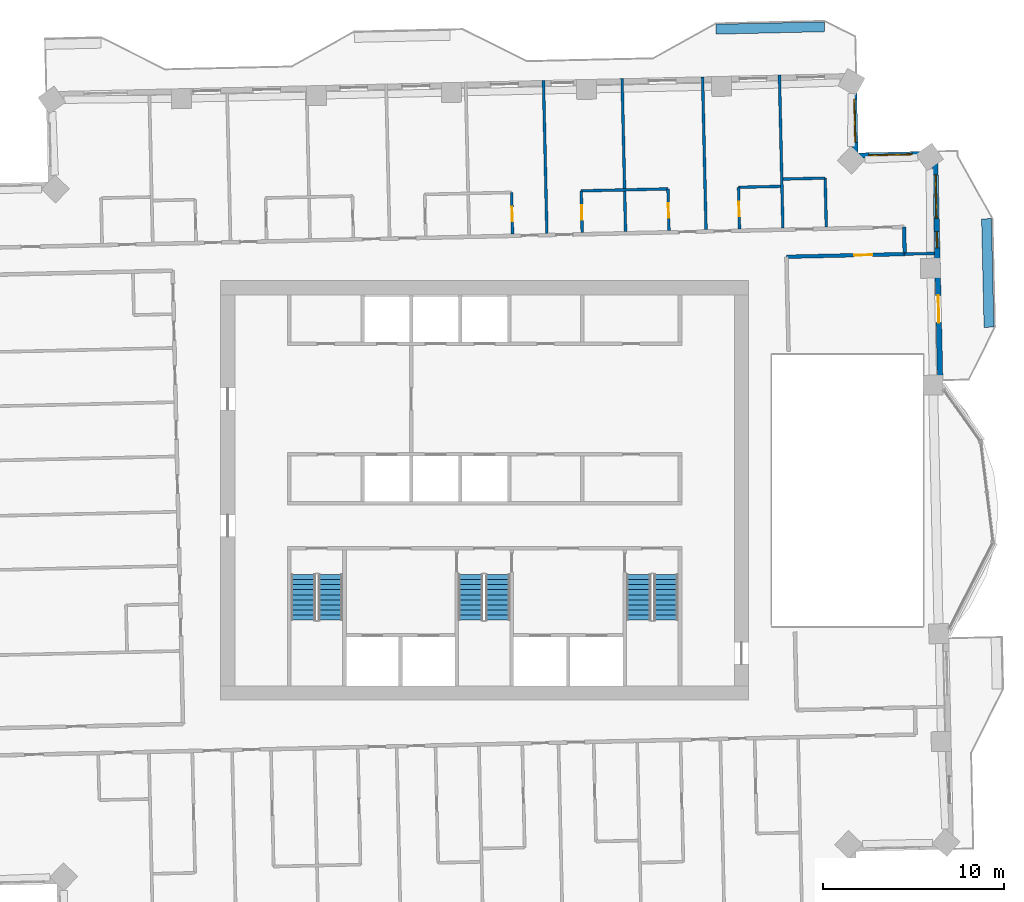
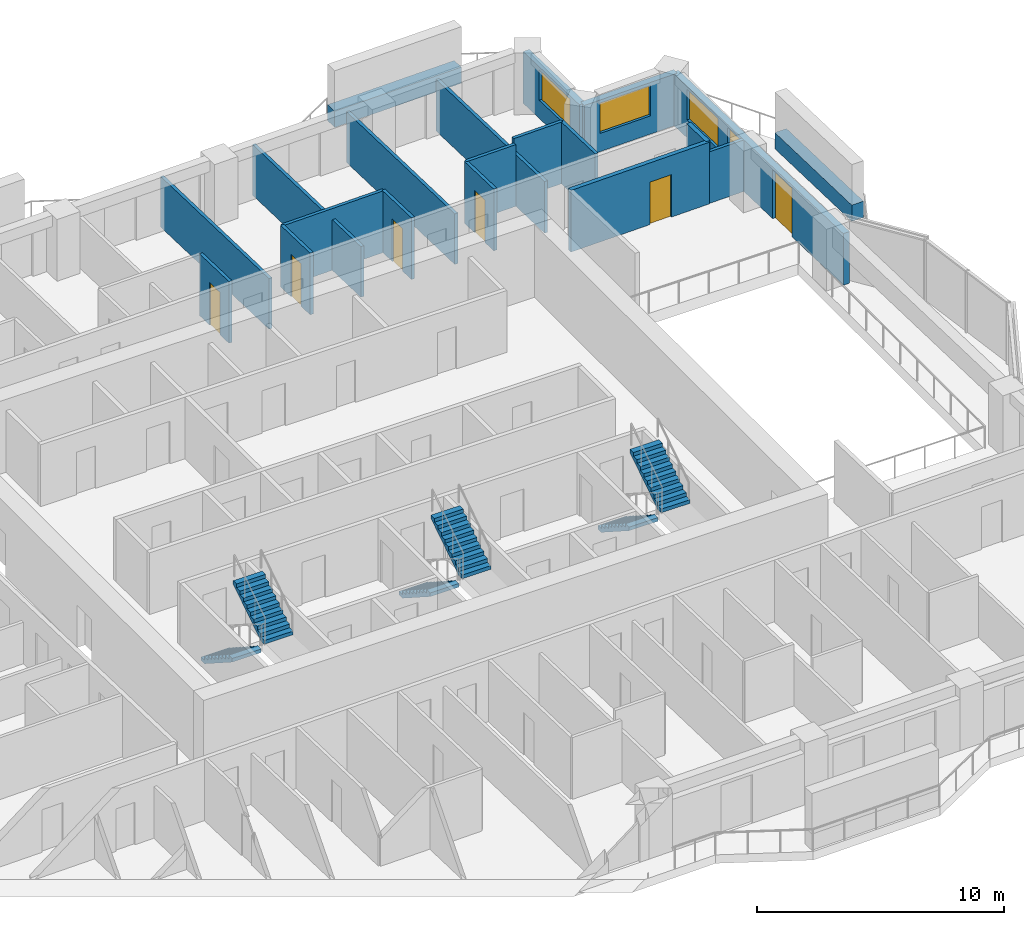
# One storey, part 12 of 16: 20 walls, 6 doors, 6 stair flights, 4 windows, 10 openings, 3 elements without a shape of their own.
"""IFC4 building model written with IfcOpenShell, lengths in metres."""

from ifc_helpers import new_model, si_unit, direction, frame, frame_2d, origin, place, context, subcontext, project, spatial, polyline, rectangle, outline, extrude, material, layer, layer_set, type_object, element, fill, aggregate, save


model = new_model("IFC4")

# Units and contexts
model_context = context("Model", 3, precision=1e-05, world=origin(), true_north=direction((0.0, 1.0)))
body_context = subcontext(model_context, "Body", "Model", "MODEL_VIEW")
ifc_project = project(units=[si_unit("LENGTHUNIT", "METRE"), si_unit("AREAUNIT", "SQUARE_METRE"), si_unit("VOLUMEUNIT", "CUBIC_METRE"), si_unit("PLANEANGLEUNIT", "RADIAN"), si_unit("MASSUNIT", "GRAM", prefix="KILO")], contexts=[model_context])

# Site, building, storey
site_placement = place(None, origin())
site = spatial("IfcSite", under=ifc_project, at=site_placement, CompositionType="ELEMENT")
building_placement = place(site_placement, origin())
building = spatial("IfcBuilding", under=site, at=building_placement, Name="Mangrove Gate Tower", CompositionType="ELEMENT")
storey_placement = place(building_placement, frame((0.0, 0.0, 231.10009765625)))
storey = spatial("IfcBuildingStorey", under=building, at=storey_placement, Name="L58", CompositionType="ELEMENT", Elevation=231.10009765625)

# Wall, opening, door
ifc_material_1 = material(Name="Gypsum board on steel stud, EI 60", Category="steel")
ifc_layer_1 = layer(ifc_material_1, 0.199951171875)
ifc_layer_set_1 = layer_set([ifc_layer_1], Name="Corridor wall EI 60")
wall_type_1 = type_object("IfcWallType", Name="Corridor wall EI 60", PredefinedType="PARTITIONING", material=ifc_layer_set_1)
wall_1_placement = place(storey_placement, frame((16.678955078125, 12.91796875, 0.0), z_axis=(0.0, 0.0, 1.0), x_axis=(0.99974139269, 0.022740882632, 0.0)))
wall_1 = element("IfcWall", 1, at=wall_1_placement, inside=storey, type_object=wall_type_1, Name="WALL-L58-050", PredefinedType="PARTITIONING", context=body_context, shape_type="SweptSolid", body=[
    extrude(rectangle(XDim=6.548828125, YDim=0.199951171875, at=frame_2d((3.2744140625, 0.0))), origin(), (0.0, 0.0, 1.0), 3.0498046875),
])
opening_1_placement = place(wall_1_placement, frame((3.75, 0.0, 0.0)))
opening_1 = element("IfcOpeningElement", 2, at=opening_1_placement, cuts=wall_1, Name="Opening AD", PredefinedType="OPENING", context=body_context, shape_type="SweptSolid", body=[
    extrude(rectangle(XDim=1.0, YDim=2.10009765625, at=frame_2d((0.5, 1.050048828125))), frame((0.0, 0.10986328125, 0.0), z_axis=(0.0, -1.0, 0.0), x_axis=(1.0, 0.0, 0.0)), (0.0, 0.0, 1.0), 0.219970703125),
])
ifc_material_2 = material(Name="Timber door leaf", Category="wood")
door_type_1 = type_object("IfcDoorType", Name="Amenity door 1000", OperationType="SINGLE_SWING_LEFT", PredefinedType="DOOR", material=ifc_material_2)
door_1_placement = place(opening_1_placement, origin())
door_1 = element("IfcDoor", 3, at=door_1_placement, inside=storey, type_object=door_type_1, Name="DOOR-L58-LNG-c3a", OperationType="SINGLE_SWING_RIGHT", OverallHeight=2.10009765625, OverallWidth=1.0, PredefinedType="DOOR", context=body_context, shape_type="SweptSolid", body=[
    extrude(rectangle(XDim=1.0, YDim=2.10009765625, at=frame_2d((0.5, 1.050048828125))), frame((0.0, 0.02490234375, 0.0), z_axis=(0.0, -1.0, 0.0), x_axis=(1.0, 0.0, 0.0)), (0.0, 0.0, 1.0), 0.050048828125),
])
fill(opening_1, door_1)

# Wall
wall_2_placement = place(storey_placement, frame((23.222900390625, 13.06689453125, 0.0), z_axis=(0.0, 0.0, 1.0), x_axis=(-0.023268438023, 0.999729253244, 0.0)))
element("IfcWall", 4, at=wall_2_placement, inside=storey, type_object=wall_type_1, Name="WALL-L58-051", PredefinedType="PARTITIONING", context=body_context, shape_type="SweptSolid", body=[
    extrude(rectangle(XDim=1.50048828125, YDim=0.199951171875, at=frame_2d((0.750244140625, 0.0))), origin(), (0.0, 0.0, 1.0), 3.0498046875),
])

# Wall, openings, door, windows
ifc_material_3 = material(Name="Limestone", Category="masonry")
ifc_layer_2 = layer(ifc_material_3, 0.0400390625, Name="Limestone cladding")
ifc_material_4 = material(Name="Ventilated air gap")
ifc_layer_3 = layer(ifc_material_4, 0.0400390625, Name="Ventilated cavity")
ifc_material_5 = material(Name="Mineral wool insulation")
ifc_layer_4 = layer(ifc_material_5, 0.06005859375, Name="Insulation")
ifc_material_6 = material(Name="Breather membrane")
ifc_layer_5 = layer(ifc_material_6, 0.001953125, Name="Breather membrane")
ifc_material_7 = material(Name="Concrete C20/25 blockwork", Category="masonry")
ifc_layer_6 = layer(ifc_material_7, 0.14990234375, Name="Blockwork backing wall")
ifc_material_8 = material(Name="Gypsum plaster")
ifc_layer_7 = layer(ifc_material_8, 0.008056640625, Name="Internal plaster")
ifc_layer_set_2 = layer_set([ifc_layer_2, ifc_layer_3, ifc_layer_4, ifc_layer_5, ifc_layer_6, ifc_layer_7], Name="External wall 300 limestone cladding")
wall_type_2 = type_object("IfcWallType", Name="External wall 300 limestone cladding", PredefinedType="SOLIDWALL", material=ifc_layer_set_2)
wall_3_placement = place(storey_placement, frame((25.2041015625, 5.284912109375, 0.0), z_axis=(0.0, 0.0, 1.0), x_axis=(-0.022756783174, 0.999741030877, 0.0)))
wall_3 = element("IfcWall", 5, at=wall_3_placement, inside=storey, type_object=wall_type_2, Name="WALL-L58-E2s1", PredefinedType="SOLIDWALL", context=body_context, shape_type="SweptSolid", body=[
    extrude(rectangle(XDim=13.324462890625, YDim=0.300048828125, at=frame_2d((6.662109375, 0.0))), origin(), (0.0, 0.0, 1.0), 2.5498046875),
])
opening_2_placement = place(wall_3_placement, frame((3.9990234375, 0.0, 0.0)))
opening_2 = element("IfcOpeningElement", 6, at=opening_2_placement, cuts=wall_3, Name="Opening BD1", PredefinedType="OPENING", context=body_context, shape_type="SweptSolid", body=[
    extrude(rectangle(XDim=1.5, YDim=2.39990234375, at=frame_2d((0.75, 1.199951171875))), frame((0.0, 0.159912109375, 0.0), z_axis=(0.0, -1.0, 0.0), x_axis=(1.0, 0.0, 0.0)), (0.0, 0.0, 1.0), 0.320068359375),
])
opening_3_placement = place(wall_3_placement, frame((8.125, 0.0, 0.89990234375)))
opening_3 = element("IfcOpeningElement", 7, at=opening_3_placement, cuts=wall_3, Name="Opening W5", PredefinedType="OPENING", context=body_context, shape_type="SweptSolid", body=[
    extrude(rectangle(XDim=0.89990234375, YDim=1.5, at=frame_2d((0.449951171875, 0.75))), frame((0.0, 0.159912109375, 0.0), z_axis=(0.0, -1.0, 0.0), x_axis=(1.0, 0.0, 0.0)), (0.0, 0.0, 1.0), 0.320068359375),
])
opening_4_placement = place(wall_3_placement, frame((9.762939453125, 0.0, 0.89990234375)))
opening_4 = element("IfcOpeningElement", 8, at=opening_4_placement, cuts=wall_3, Name="Opening W2", PredefinedType="OPENING", context=body_context, shape_type="SweptSolid", body=[
    extrude(rectangle(XDim=2.39990234375, YDim=1.5, at=frame_2d((1.199951171875, 0.75))), frame((0.0, 0.159912109375, 0.0), z_axis=(0.0, -1.0, 0.0), x_axis=(1.0, 0.0, 0.0)), (0.0, 0.0, 1.0), 0.320068359375),
])
ifc_material_9 = material(Name="Aluminium frame with laminated clear glass", Category="aluminium")
door_type_2 = type_object("IfcDoorType", Name="Balcony sliding door 1500x2400", OperationType="SLIDING_TO_LEFT", PredefinedType="DOOR", material=ifc_material_9)
door_2_placement = place(opening_2_placement, origin())
door_2 = element("IfcDoor", 9, at=door_2_placement, inside=storey, type_object=door_type_2, Name="DOOR-L58-E2-1", OperationType="SLIDING_TO_LEFT", OverallHeight=2.39990234375, OverallWidth=1.5, PredefinedType="DOOR", context=body_context, shape_type="SweptSolid", body=[
    extrude(rectangle(XDim=1.5, YDim=2.39990234375, at=frame_2d((0.75, 1.199951171875))), frame((0.0, 0.02490234375, 0.0), z_axis=(0.0, -1.0, 0.0), x_axis=(1.0, 0.0, 0.0)), (0.0, 0.0, 1.0), 0.050048828125),
])
fill(opening_2, door_2)
ifc_material_10 = material(Name="Aluminium frame with double-glazed low-e glass", Category="aluminium")
window_type_1 = type_object("IfcWindowType", Name="Corner room window 2400x1500", PartitioningType="DOUBLE_PANEL_VERTICAL", PredefinedType="WINDOW", material=ifc_material_10)
window_1_placement = place(opening_4_placement, origin())
window_1 = element("IfcWindow", 10, at=window_1_placement, inside=storey, type_object=window_type_1, Name="WIN-L58-E2-3", OverallHeight=1.5, OverallWidth=2.39990234375, PartitioningType="DOUBLE_PANEL_VERTICAL", PredefinedType="WINDOW", context=body_context, shape_type="SweptSolid", body=[
    extrude(rectangle(XDim=2.39990234375, YDim=1.5, at=frame_2d((1.199951171875, 0.75))), frame((0.0, 0.030029296875, 0.0), z_axis=(0.0, -1.0, 0.0), x_axis=(1.0, 0.0, 0.0)), (0.0, 0.0, 1.0), 0.06005859375),
])
fill(opening_4, window_1)
ifc_material_11 = material(Name="Aluminium frame with double-glazed low-e glass", Category="aluminium")
window_type_2 = type_object("IfcWindowType", Name="Narrow window 900x1500", PartitioningType="SINGLE_PANEL", PredefinedType="WINDOW", material=ifc_material_11)
window_2_placement = place(opening_3_placement, origin())
window_2 = element("IfcWindow", 11, at=window_2_placement, inside=storey, type_object=window_type_2, Name="WIN-L58-E2-2", OverallHeight=1.5, OverallWidth=0.89990234375, PartitioningType="SINGLE_PANEL", PredefinedType="WINDOW", context=body_context, shape_type="SweptSolid", body=[
    extrude(rectangle(XDim=0.89990234375, YDim=1.5, at=frame_2d((0.449951171875, 0.75))), frame((0.0, 0.030029296875, 0.0), z_axis=(0.0, -1.0, 0.0), x_axis=(1.0, 0.0, 0.0)), (0.0, 0.0, 1.0), 0.06005859375),
])
fill(opening_3, window_2)

# Wall, opening, window
wall_4_placement = place(storey_placement, frame((24.90087890625, 18.60595703125, 0.0), z_axis=(0.0, 0.0, 1.0), x_axis=(-0.999747476176, -0.022471846368, 0.0)))
wall_4 = element("IfcWall", 12, at=wall_4_placement, inside=storey, type_object=wall_type_2, Name="WALL-L58-N3", PredefinedType="SOLIDWALL", context=body_context, shape_type="SweptSolid", body=[
    extrude(rectangle(XDim=4.400146484375, YDim=0.300048828125, at=frame_2d((2.2001953125, 0.0))), origin(), (0.0, 0.0, 1.0), 2.5498046875),
])
opening_5_placement = place(wall_4_placement, frame((1.264892578125, 0.0, 0.89990234375)))
opening_5 = element("IfcOpeningElement", 13, at=opening_5_placement, cuts=wall_4, Name="Opening W2", PredefinedType="OPENING", context=body_context, shape_type="SweptSolid", body=[
    extrude(rectangle(XDim=2.39990234375, YDim=1.5, at=frame_2d((1.199951171875, 0.75))), frame((0.0, 0.159912109375, 0.0), z_axis=(0.0, -1.0, 0.0), x_axis=(1.0, 0.0, 0.0)), (0.0, 0.0, 1.0), 0.320068359375),
])
window_3_placement = place(opening_5_placement, origin())
window_3 = element("IfcWindow", 14, at=window_3_placement, inside=storey, type_object=window_type_1, Name="WIN-L58-N3-1", OverallHeight=1.5, OverallWidth=2.39990234375, PartitioningType="DOUBLE_PANEL_VERTICAL", PredefinedType="WINDOW", context=body_context, shape_type="SweptSolid", body=[
    extrude(rectangle(XDim=2.39990234375, YDim=1.5, at=frame_2d((1.199951171875, 0.75))), frame((0.0, 0.030029296875, 0.0), z_axis=(0.0, -1.0, 0.0), x_axis=(1.0, 0.0, 0.0)), (0.0, 0.0, 1.0), 0.06005859375),
])
fill(opening_5, window_3)

wall_5_placement = place(storey_placement, frame((20.501953125, 18.507080078125, 0.0), z_axis=(0.0, 0.0, 1.0), x_axis=(-0.02247683371, 0.999747364061, 0.0)))
wall_5 = element("IfcWall", 15, at=wall_5_placement, inside=storey, type_object=wall_type_2, Name="WALL-L58-E4", PredefinedType="SOLIDWALL", context=body_context, shape_type="SweptSolid", body=[
    extrude(rectangle(XDim=4.399169921875, YDim=0.300048828125, at=frame_2d((2.19970703125, 0.0))), origin(), (0.0, 0.0, 1.0), 2.5498046875),
])
opening_6_placement = place(wall_5_placement, frame((0.73095703125, 0.0, 0.89990234375)))
opening_6 = element("IfcOpeningElement", 16, at=opening_6_placement, cuts=wall_5, Name="Opening W2", PredefinedType="OPENING", context=body_context, shape_type="SweptSolid", body=[
    extrude(rectangle(XDim=2.39990234375, YDim=1.5, at=frame_2d((1.199951171875, 0.75))), frame((0.0, 0.159912109375, 0.0), z_axis=(0.0, -1.0, 0.0), x_axis=(1.0, 0.0, 0.0)), (0.0, 0.0, 1.0), 0.320068359375),
])
window_4_placement = place(opening_6_placement, origin())
window_4 = element("IfcWindow", 17, at=window_4_placement, inside=storey, type_object=window_type_1, Name="WIN-L58-E4-1", OverallHeight=1.5, OverallWidth=2.39990234375, PartitioningType="DOUBLE_PANEL_VERTICAL", PredefinedType="WINDOW", context=body_context, shape_type="SweptSolid", body=[
    extrude(rectangle(XDim=2.39990234375, YDim=1.5, at=frame_2d((1.199951171875, 0.75))), frame((0.0, 0.030029296875, 0.0), z_axis=(0.0, -1.0, 0.0), x_axis=(1.0, 0.0, 0.0)), (0.0, 0.0, 1.0), 0.06005859375),
])
fill(opening_6, window_4)

# Wall
ifc_material_12 = material(Name="Gypsum board on steel stud, EI 60", Category="steel")
ifc_layer_8 = layer(ifc_material_12, 0.14990234375)
ifc_layer_set_3 = layer_set([ifc_layer_8], Name="Party wall 150 EI 60")
wall_type_3 = type_object("IfcWallType", Name="Party wall 150 EI 60", PredefinedType="PARTITIONING", material=ifc_layer_set_3)
wall_6_placement = place(storey_placement, frame((23.22607421875, 13.06689453125, 0.0), z_axis=(0.0, 0.0, 1.0), x_axis=(0.999747154012, 0.022486174521, 0.0)))
element("IfcWall", 18, at=wall_6_placement, inside=storey, type_object=wall_type_3, Name="WALL-L58-052", PredefinedType="PARTITIONING", context=body_context, shape_type="SweptSolid", body=[
    extrude(rectangle(XDim=1.650390625, YDim=0.14990234375, at=frame_2d((0.8251953125, 0.0))), origin(), (0.0, 0.0, 1.0), 2.5498046875),
])

# Wall, opening, door
wall_7_placement = place(storey_placement, frame((1.5419921875, 14.175048828125, 0.0), z_axis=(0.0, 0.0, 1.0), x_axis=(-0.022603288534, 0.999744513037, 0.0)))
wall_7 = element("IfcWall", 19, at=wall_7_placement, inside=storey, type_object=wall_type_3, Name="WALL-L58-064", PredefinedType="PARTITIONING", context=body_context, shape_type="SweptSolid", body=[
    extrude(rectangle(XDim=2.300537109375, YDim=0.14990234375, at=frame_2d((1.150390625, 0.0))), origin(), (0.0, 0.0, 1.0), 3.0498046875),
])
opening_7_placement = place(wall_7_placement, frame((0.699951171875, 0.0, 0.0)))
opening_7 = element("IfcOpeningElement", 20, at=opening_7_placement, cuts=wall_7, Name="Opening ED", PredefinedType="OPENING", context=body_context, shape_type="SweptSolid", body=[
    extrude(rectangle(XDim=0.800048828125, YDim=2.10009765625, at=frame_2d((0.39990234375, 1.050048828125))), frame((0.0, 0.0849609375, 0.0), z_axis=(0.0, -1.0, 0.0), x_axis=(1.0, 0.0, 0.0)), (0.0, 0.0, 1.0), 0.169921875),
])
ifc_material_13 = material(Name="Timber door leaf", Category="wood")
door_type_3 = type_object("IfcDoorType", Name="En-suite door 800", OperationType="SINGLE_SWING_LEFT", PredefinedType="DOOR", material=ifc_material_13)
door_3_placement = place(opening_7_placement, origin())
door_3 = element("IfcDoor", 21, at=door_3_placement, inside=storey, type_object=door_type_3, Name="DOOR-L58-ENS-c412", OperationType="SINGLE_SWING_RIGHT", OverallHeight=2.10009765625, OverallWidth=0.800048828125, PredefinedType="DOOR", context=body_context, shape_type="SweptSolid", body=[
    extrude(rectangle(XDim=0.800048828125, YDim=2.10009765625, at=frame_2d((0.39990234375, 1.050048828125))), frame((0.0, 0.02490234375, 0.0), z_axis=(0.0, -1.0, 0.0), x_axis=(1.0, 0.0, 0.0)), (0.0, 0.0, 1.0), 0.050048828125),
])
fill(opening_7, door_3)

# Wall
wall_8_placement = place(storey_placement, frame((3.44091796875, 14.218017578125, 0.0), z_axis=(0.0, 0.0, 1.0), x_axis=(-0.022593427839, 0.999744735929, 0.0)))
element("IfcWall", 22, at=wall_8_placement, inside=storey, type_object=wall_type_3, Name="WALL-L58-065", PredefinedType="PARTITIONING", context=body_context, shape_type="SweptSolid", body=[
    extrude(rectangle(XDim=8.4501953125, YDim=0.14990234375, at=frame_2d((4.22509765625, 0.0))), origin(), (0.0, 0.0, 1.0), 2.5),
])

# Wall, opening, door
wall_9_placement = place(storey_placement, frame((5.39111328125, 14.262939453125, 0.0), z_axis=(0.0, 0.0, 1.0), x_axis=(-0.022612884682, 0.999744296031, 0.0)))
wall_9 = element("IfcWall", 23, at=wall_9_placement, inside=storey, type_object=wall_type_3, Name="WALL-L58-066", PredefinedType="PARTITIONING", context=body_context, shape_type="SweptSolid", body=[
    extrude(rectangle(XDim=2.299560546875, YDim=0.14990234375, at=frame_2d((1.14990234375, 0.0))), origin(), (0.0, 0.0, 1.0), 3.0498046875),
])
opening_8_placement = place(wall_9_placement, frame((0.699951171875, 0.0, 0.0)))
opening_8 = element("IfcOpeningElement", 24, at=opening_8_placement, cuts=wall_9, Name="Opening ED", PredefinedType="OPENING", context=body_context, shape_type="SweptSolid", body=[
    extrude(rectangle(XDim=0.800048828125, YDim=2.10009765625, at=frame_2d((0.39990234375, 1.050048828125))), frame((0.0, 0.0849609375, 0.0), z_axis=(0.0, -1.0, 0.0), x_axis=(1.0, 0.0, 0.0)), (0.0, 0.0, 1.0), 0.169921875),
])
door_4_placement = place(opening_8_placement, origin())
door_4 = element("IfcDoor", 25, at=door_4_placement, inside=storey, type_object=door_type_3, Name="DOOR-L58-ENS-c411", OperationType="SINGLE_SWING_LEFT", OverallHeight=2.10009765625, OverallWidth=0.800048828125, PredefinedType="DOOR", context=body_context, shape_type="SweptSolid", body=[
    extrude(rectangle(XDim=0.800048828125, YDim=2.10009765625, at=frame_2d((0.39990234375, 1.050048828125))), frame((0.0, 0.02490234375, 0.0), z_axis=(0.0, -1.0, 0.0), x_axis=(1.0, 0.0, 0.0)), (0.0, 0.0, 1.0), 0.050048828125),
])
fill(opening_8, door_4)

# Wall
wall_10_placement = place(storey_placement, frame((7.7900390625, 14.31689453125, 0.0), z_axis=(0.0, 0.0, 1.0), x_axis=(-0.022737812646, 0.999741462517, 0.0)))
element("IfcWall", 26, at=wall_10_placement, inside=storey, type_object=wall_type_3, Name="WALL-L58-067", PredefinedType="PARTITIONING", context=body_context, shape_type="SweptSolid", body=[
    extrude(rectangle(XDim=8.4501953125, YDim=0.14990234375, at=frame_2d((4.22509765625, 0.0))), origin(), (0.0, 0.0, 1.0), 2.5),
])

# Wall, opening, door
wall_11_placement = place(storey_placement, frame((10.18994140625, 14.3720703125, 0.0), z_axis=(0.0, 0.0, 1.0), x_axis=(-0.023039761813, 0.999734549456, 0.0)))
wall_11 = element("IfcWall", 27, at=wall_11_placement, inside=storey, type_object=wall_type_3, Name="WALL-L58-068", PredefinedType="PARTITIONING", context=body_context, shape_type="SweptSolid", body=[
    extrude(rectangle(XDim=2.299560546875, YDim=0.14990234375, at=frame_2d((1.14990234375, 0.0))), origin(), (0.0, 0.0, 1.0), 3.0498046875),
])
opening_9_placement = place(wall_11_placement, frame((0.699951171875, 0.0, 0.0)))
opening_9 = element("IfcOpeningElement", 28, at=opening_9_placement, cuts=wall_11, Name="Opening ED", PredefinedType="OPENING", context=body_context, shape_type="SweptSolid", body=[
    extrude(rectangle(XDim=0.800048828125, YDim=2.10009765625, at=frame_2d((0.39990234375, 1.050048828125))), frame((0.0, 0.0849609375, 0.0), z_axis=(0.0, -1.0, 0.0), x_axis=(1.0, 0.0, 0.0)), (0.0, 0.0, 1.0), 0.169921875),
])
door_5_placement = place(opening_9_placement, origin())
door_5 = element("IfcDoor", 29, at=door_5_placement, inside=storey, type_object=door_type_3, Name="DOOR-L58-ENS-c310", OperationType="SINGLE_SWING_RIGHT", OverallHeight=2.10009765625, OverallWidth=0.800048828125, PredefinedType="DOOR", context=body_context, shape_type="SweptSolid", body=[
    extrude(rectangle(XDim=0.800048828125, YDim=2.10009765625, at=frame_2d((0.39990234375, 1.050048828125))), frame((0.0, 0.02490234375, 0.0), z_axis=(0.0, -1.0, 0.0), x_axis=(1.0, 0.0, 0.0)), (0.0, 0.0, 1.0), 0.050048828125),
])
fill(opening_9, door_5)

# Wall
wall_12_placement = place(storey_placement, frame((12.239013671875, 14.41796875, 0.0), z_axis=(0.0, 0.0, 1.0), x_axis=(-0.022708935798, 0.999742118866, 0.0)))
element("IfcWall", 30, at=wall_12_placement, inside=storey, type_object=wall_type_3, Name="WALL-L58-069", PredefinedType="PARTITIONING", context=body_context, shape_type="SweptSolid", body=[
    extrude(rectangle(XDim=8.4501953125, YDim=0.14990234375, at=frame_2d((4.22509765625, 0.0))), origin(), (0.0, 0.0, 1.0), 2.5),
])

# Wall, opening, door
wall_13_placement = place(storey_placement, frame((14.089111328125, 14.4599609375, 0.0), z_axis=(0.0, 0.0, 1.0), x_axis=(-0.023143422514, 0.999732155127, 0.0)))
wall_13 = element("IfcWall", 31, at=wall_13_placement, inside=storey, type_object=wall_type_3, Name="WALL-L58-070", PredefinedType="PARTITIONING", context=body_context, shape_type="SweptSolid", body=[
    extrude(rectangle(XDim=2.2998046875, YDim=0.14990234375, at=frame_2d((1.14990234375, 0.0))), origin(), (0.0, 0.0, 1.0), 3.0498046875),
])
opening_10_placement = place(wall_13_placement, frame((0.699951171875, 0.0, 0.0)))
opening_10 = element("IfcOpeningElement", 32, at=opening_10_placement, cuts=wall_13, Name="Opening ED", PredefinedType="OPENING", context=body_context, shape_type="SweptSolid", body=[
    extrude(rectangle(XDim=0.800048828125, YDim=2.10009765625, at=frame_2d((0.39990234375, 1.050048828125))), frame((0.0, 0.0849609375, 0.0), z_axis=(0.0, -1.0, 0.0), x_axis=(1.0, 0.0, 0.0)), (0.0, 0.0, 1.0), 0.169921875),
])
door_6_placement = place(opening_10_placement, origin())
door_6 = element("IfcDoor", 33, at=door_6_placement, inside=storey, type_object=door_type_3, Name="DOOR-L58-ENS-c309", OperationType="SINGLE_SWING_LEFT", OverallHeight=2.10009765625, OverallWidth=0.800048828125, PredefinedType="DOOR", context=body_context, shape_type="SweptSolid", body=[
    extrude(rectangle(XDim=0.800048828125, YDim=2.10009765625, at=frame_2d((0.39990234375, 1.050048828125))), frame((0.0, 0.02490234375, 0.0), z_axis=(0.0, -1.0, 0.0), x_axis=(1.0, 0.0, 0.0)), (0.0, 0.0, 1.0), 0.050048828125),
])
fill(opening_10, door_6)

# Walls
wall_14_placement = place(storey_placement, frame((16.488037109375, 14.514892578125, 0.0), z_axis=(0.0, 0.0, 1.0), x_axis=(-0.022740440012, 0.999741402758, 0.0)))
element("IfcWall", 34, at=wall_14_placement, inside=storey, type_object=wall_type_3, Name="WALL-L58-071", PredefinedType="PARTITIONING", context=body_context, shape_type="SweptSolid", body=[
    extrude(rectangle(XDim=8.44921875, YDim=0.14990234375, at=frame_2d((4.224609375, 0.0))), origin(), (0.0, 0.0, 1.0), 2.5498046875),
])
wall_15_placement = place(storey_placement, frame((18.886962890625, 14.569091796875, 0.0), z_axis=(0.0, 0.0, 1.0), x_axis=(-0.02260842146, 0.999744396973, 0.0)))
element("IfcWall", 35, at=wall_15_placement, inside=storey, type_object=wall_type_3, Name="WALL-L58-072", PredefinedType="PARTITIONING", context=body_context, shape_type="SweptSolid", body=[
    extrude(rectangle(XDim=2.69970703125, YDim=0.14990234375, at=frame_2d((1.349853515625, 0.0))), origin(), (0.0, 0.0, 1.0), 3.0498046875),
])
wall_16_placement = place(storey_placement, frame((5.3349609375, 16.56201171875, 0.0), z_axis=(0.0, 0.0, 1.0), x_axis=(0.999742596585, 0.02268789488, 0.0)))
element("IfcWall", 36, at=wall_16_placement, inside=storey, type_object=wall_type_3, Name="WALL-L58-076", PredefinedType="PARTITIONING", context=body_context, shape_type="SweptSolid", body=[
    extrude(rectangle(XDim=4.79931640625, YDim=0.14990234375, at=frame_2d((2.399658203125, 0.0))), origin(), (0.0, 0.0, 1.0), 3.0498046875),
])
wall_17_placement = place(storey_placement, frame((14.031982421875, 16.759033203125, 0.0), z_axis=(0.0, 0.0, 1.0), x_axis=(0.999740478815, 0.022781023197, 0.0)))
element("IfcWall", 37, at=wall_17_placement, inside=storey, type_object=wall_type_3, Name="WALL-L58-077", PredefinedType="PARTITIONING", context=body_context, shape_type="SweptSolid", body=[
    extrude(rectangle(XDim=2.325439453125, YDim=0.14990234375, at=frame_2d((1.16259765625, 0.0))), origin(), (0.0, 0.0, 1.0), 3.0498046875),
])
wall_18_placement = place(storey_placement, frame((16.498046875, 17.215087890625, 0.0), z_axis=(0.0, 0.0, 1.0), x_axis=(0.999740260747, 0.02279059109, 0.0)))
element("IfcWall", 38, at=wall_18_placement, inside=storey, type_object=wall_type_3, Name="WALL-L58-079", PredefinedType="PARTITIONING", context=body_context, shape_type="SweptSolid", body=[
    extrude(rectangle(XDim=2.324462890625, YDim=0.14990234375, at=frame_2d((1.162109375, 0.0))), origin(), (0.0, 0.0, 1.0), 3.0498046875),
])
ifc_material_14 = material(Name="Concrete C32/40", Category="concrete")
ifc_layer_9 = layer(ifc_material_14, 0.199951171875, Name="Planter trough wall")
ifc_material_15 = material(Name="Bituminous waterproofing membrane")
ifc_layer_10 = layer(ifc_material_15, 0.0048828125, Name="Waterproofing")
ifc_material_16 = material(Name="Drainage board and gravel")
ifc_layer_11 = layer(ifc_material_16, 0.044921875, Name="Drainage layer")
ifc_material_17 = material(Name="Planting soil")
ifc_layer_12 = layer(ifc_material_17, 0.300048828125, Name="Growing medium")
ifc_layer_set_4 = layer_set([ifc_layer_9, ifc_layer_10, ifc_layer_11, ifc_layer_12], Name="Planter wall 550 C32/40")
wall_type_4 = type_object("IfcWallType", Name="Planter wall 550 C32/40", PredefinedType="USERDEFINED", material=ifc_layer_set_4)
wall_19_placement = place(storey_placement, frame((27.884033203125, 9.02197265625, 0.0), z_axis=(0.0, 0.0, 1.0), x_axis=(-0.022665943652, 0.999743094499, 0.0)))
element("IfcWall", 39, at=wall_19_placement, inside=storey, type_object=wall_type_4, Name="PLANTER L58 E1.1", ObjectType="PLANTER", PredefinedType="USERDEFINED", context=body_context, shape_type="SweptSolid", body=[
    extrude(rectangle(XDim=5.99951171875, YDim=0.550048828125, at=frame_2d((2.999755859375, 0.0))), origin(), (0.0, 0.0, 1.0), 0.7998046875),
])
wall_20_placement = place(storey_placement, frame((12.7880859375, 25.498046875, 0.0), z_axis=(0.0, 0.0, 1.0), x_axis=(0.999739371644, 0.02282955947, 0.0)))
element("IfcWall", 40, at=wall_20_placement, inside=storey, type_object=wall_type_4, Name="PLANTER L58 N0.1", ObjectType="PLANTER", PredefinedType="USERDEFINED", context=body_context, shape_type="SweptSolid", body=[
    extrude(rectangle(XDim=5.999267578125, YDim=0.550048828125, at=frame_2d((2.99951171875, 0.0))), origin(), (0.0, 0.0, 1.0), 0.7998046875),
])

# Stair, stair flights
ifc_material_18 = material(Name="Concrete C40/50", Category="concrete")
stair_type = type_object("IfcStairType", Name="Core stair 1350", PredefinedType="HALF_TURN_STAIR", material=ifc_material_18)
stair_1_placement = place(storey_placement, origin())
stair_1 = element("IfcStair", 41, at=stair_1_placement, inside=storey, type_object=stair_type, Name="L58 Stair 1", PredefinedType="HALF_TURN_STAIR")
ifc_material_19 = material(Name="Concrete C40/50", Category="concrete")
stair_flight_type = type_object("IfcStairFlightType", Name="Core stair flight 1350", PredefinedType="STRAIGHT", material=ifc_material_19)
stair_flight_1_placement = place(storey_placement, frame((-10.02490234375, -4.64990234375, 0.0), z_axis=(0.0, 0.0, 1.0), x_axis=(0.0, -1.0, 0.0)))
stair_flight_1 = element("IfcStairFlight", 42, at=stair_flight_1_placement, type_object=stair_flight_type, Name="ST1 flight 1", NumberOfRisers=10, NumberOfTreads=9, PredefinedType="STRAIGHT", RiserHeight=0.18, TreadLength=0.28, context=body_context, shape_type="SweptSolid", body=[
    extrude(outline(polyline([(0.0, 0.0), (0.0, 0.179931640625), (0.280029296875, 0.179931640625), (0.280029296875, 0.360107421875), (0.56005859375, 0.360107421875), (0.56005859375, 0.5400390625), (0.840087890625, 0.5400390625), (0.840087890625, 0.719970703125), (1.1201171875, 0.719970703125), (1.1201171875, 0.89990234375), (1.39990234375, 0.89990234375), (1.39990234375, 1.080078125), (1.679931640625, 1.080078125), (1.679931640625, 1.260009765625), (1.9599609375, 1.260009765625), (1.9599609375, 1.43994140625), (2.239990234375, 1.43994140625), (2.239990234375, 1.6201171875), (2.52001953125, 1.6201171875), (2.52001953125, 1.800048828125), (2.52001953125, 1.44189453125), (0.277099609375, 0.0), (0.0, 0.0)])), frame((0.0, 0.675048828125, 0.0), z_axis=(0.0, -1.0, 0.0), x_axis=(1.0, 0.0, 0.0)), (0.0, 0.0, 1.0), 1.35009765625),
])
stair_flight_2_placement = place(storey_placement, frame((-8.52490234375, -7.169921875, 1.7998046875), z_axis=(0.0, 0.0, 1.0), x_axis=(0.0, 1.0, 0.0)))
stair_flight_2 = element("IfcStairFlight", 43, at=stair_flight_2_placement, type_object=stair_flight_type, Name="ST1 flight 2", NumberOfRisers=10, NumberOfTreads=9, PredefinedType="STRAIGHT", RiserHeight=0.18, TreadLength=0.28, context=body_context, shape_type="SweptSolid", body=[
    extrude(outline(polyline([(0.0, 0.0), (0.0, 0.179931640625), (0.280029296875, 0.179931640625), (0.280029296875, 0.360107421875), (0.56005859375, 0.360107421875), (0.56005859375, 0.5400390625), (0.840087890625, 0.5400390625), (0.840087890625, 0.719970703125), (1.1201171875, 0.719970703125), (1.1201171875, 0.89990234375), (1.39990234375, 0.89990234375), (1.39990234375, 1.080078125), (1.679931640625, 1.080078125), (1.679931640625, 1.260009765625), (1.9599609375, 1.260009765625), (1.9599609375, 1.43994140625), (2.239990234375, 1.43994140625), (2.239990234375, 1.6201171875), (2.52001953125, 1.6201171875), (2.52001953125, 1.800048828125), (2.52001953125, 1.44189453125), (0.277099609375, 0.0), (0.0, 0.0)])), frame((0.0, 0.675048828125, 0.0), z_axis=(0.0, -1.0, 0.0), x_axis=(1.0, 0.0, 0.0)), (0.0, 0.0, 1.0), 1.35009765625),
])
aggregate(stair_1, [stair_flight_1, stair_flight_2])

stair_2_placement = place(storey_placement, origin())
stair_2 = element("IfcStair", 44, at=stair_2_placement, inside=storey, type_object=stair_type, Name="L58 Stair 2", PredefinedType="HALF_TURN_STAIR")
stair_flight_3_placement = place(storey_placement, frame((-0.77490234375, -4.64990234375, 0.0), z_axis=(0.0, 0.0, 1.0), x_axis=(0.0, -1.0, 0.0)))
stair_flight_3 = element("IfcStairFlight", 45, at=stair_flight_3_placement, type_object=stair_flight_type, Name="ST2 flight 1", NumberOfRisers=10, NumberOfTreads=9, PredefinedType="STRAIGHT", RiserHeight=0.18, TreadLength=0.28, context=body_context, shape_type="SweptSolid", body=[
    extrude(outline(polyline([(0.0, 0.0), (0.0, 0.179931640625), (0.280029296875, 0.179931640625), (0.280029296875, 0.360107421875), (0.56005859375, 0.360107421875), (0.56005859375, 0.5400390625), (0.840087890625, 0.5400390625), (0.840087890625, 0.719970703125), (1.1201171875, 0.719970703125), (1.1201171875, 0.89990234375), (1.39990234375, 0.89990234375), (1.39990234375, 1.080078125), (1.679931640625, 1.080078125), (1.679931640625, 1.260009765625), (1.9599609375, 1.260009765625), (1.9599609375, 1.43994140625), (2.239990234375, 1.43994140625), (2.239990234375, 1.6201171875), (2.52001953125, 1.6201171875), (2.52001953125, 1.800048828125), (2.52001953125, 1.44189453125), (0.277099609375, 0.0), (0.0, 0.0)])), frame((0.0, 0.675048828125, 0.0), z_axis=(0.0, -1.0, 0.0), x_axis=(1.0, 0.0, 0.0)), (0.0, 0.0, 1.0), 1.35009765625),
])
stair_flight_4_placement = place(storey_placement, frame((0.72509765625, -7.169921875, 1.7998046875), z_axis=(0.0, 0.0, 1.0), x_axis=(0.0, 1.0, 0.0)))
stair_flight_4 = element("IfcStairFlight", 46, at=stair_flight_4_placement, type_object=stair_flight_type, Name="ST2 flight 2", NumberOfRisers=10, NumberOfTreads=9, PredefinedType="STRAIGHT", RiserHeight=0.18, TreadLength=0.28, context=body_context, shape_type="SweptSolid", body=[
    extrude(outline(polyline([(0.0, 0.0), (0.0, 0.179931640625), (0.280029296875, 0.179931640625), (0.280029296875, 0.360107421875), (0.56005859375, 0.360107421875), (0.56005859375, 0.5400390625), (0.840087890625, 0.5400390625), (0.840087890625, 0.719970703125), (1.1201171875, 0.719970703125), (1.1201171875, 0.89990234375), (1.39990234375, 0.89990234375), (1.39990234375, 1.080078125), (1.679931640625, 1.080078125), (1.679931640625, 1.260009765625), (1.9599609375, 1.260009765625), (1.9599609375, 1.43994140625), (2.239990234375, 1.43994140625), (2.239990234375, 1.6201171875), (2.52001953125, 1.6201171875), (2.52001953125, 1.800048828125), (2.52001953125, 1.44189453125), (0.277099609375, 0.0), (0.0, 0.0)])), frame((0.0, 0.675048828125, 0.0), z_axis=(0.0, -1.0, 0.0), x_axis=(1.0, 0.0, 0.0)), (0.0, 0.0, 1.0), 1.35009765625),
])
aggregate(stair_2, [stair_flight_3, stair_flight_4])

stair_3_placement = place(storey_placement, origin())
stair_3 = element("IfcStair", 47, at=stair_3_placement, inside=storey, type_object=stair_type, Name="L58 Stair 3", PredefinedType="HALF_TURN_STAIR")
stair_flight_5_placement = place(storey_placement, frame((8.52490234375, -4.64990234375, 0.0), z_axis=(0.0, 0.0, 1.0), x_axis=(0.0, -1.0, 0.0)))
stair_flight_5 = element("IfcStairFlight", 48, at=stair_flight_5_placement, type_object=stair_flight_type, Name="ST3 flight 1", NumberOfRisers=10, NumberOfTreads=9, PredefinedType="STRAIGHT", RiserHeight=0.18, TreadLength=0.28, context=body_context, shape_type="SweptSolid", body=[
    extrude(outline(polyline([(0.0, 0.0), (0.0, 0.179931640625), (0.280029296875, 0.179931640625), (0.280029296875, 0.360107421875), (0.56005859375, 0.360107421875), (0.56005859375, 0.5400390625), (0.840087890625, 0.5400390625), (0.840087890625, 0.719970703125), (1.1201171875, 0.719970703125), (1.1201171875, 0.89990234375), (1.39990234375, 0.89990234375), (1.39990234375, 1.080078125), (1.679931640625, 1.080078125), (1.679931640625, 1.260009765625), (1.9599609375, 1.260009765625), (1.9599609375, 1.43994140625), (2.239990234375, 1.43994140625), (2.239990234375, 1.6201171875), (2.52001953125, 1.6201171875), (2.52001953125, 1.800048828125), (2.52001953125, 1.44189453125), (0.277099609375, 0.0), (0.0, 0.0)])), frame((0.0, 0.675048828125, 0.0), z_axis=(0.0, -1.0, 0.0), x_axis=(1.0, 0.0, 0.0)), (0.0, 0.0, 1.0), 1.35009765625),
])
stair_flight_6_placement = place(storey_placement, frame((10.02490234375, -7.169921875, 1.7998046875), z_axis=(0.0, 0.0, 1.0), x_axis=(0.0, 1.0, 0.0)))
stair_flight_6 = element("IfcStairFlight", 49, at=stair_flight_6_placement, type_object=stair_flight_type, Name="ST3 flight 2", NumberOfRisers=10, NumberOfTreads=9, PredefinedType="STRAIGHT", RiserHeight=0.18, TreadLength=0.28, context=body_context, shape_type="SweptSolid", body=[
    extrude(outline(polyline([(0.0, 0.0), (0.0, 0.179931640625), (0.280029296875, 0.179931640625), (0.280029296875, 0.360107421875), (0.56005859375, 0.360107421875), (0.56005859375, 0.5400390625), (0.840087890625, 0.5400390625), (0.840087890625, 0.719970703125), (1.1201171875, 0.719970703125), (1.1201171875, 0.89990234375), (1.39990234375, 0.89990234375), (1.39990234375, 1.080078125), (1.679931640625, 1.080078125), (1.679931640625, 1.260009765625), (1.9599609375, 1.260009765625), (1.9599609375, 1.43994140625), (2.239990234375, 1.43994140625), (2.239990234375, 1.6201171875), (2.52001953125, 1.6201171875), (2.52001953125, 1.800048828125), (2.52001953125, 1.44189453125), (0.277099609375, 0.0), (0.0, 0.0)])), frame((0.0, 0.675048828125, 0.0), z_axis=(0.0, -1.0, 0.0), x_axis=(1.0, 0.0, 0.0)), (0.0, 0.0, 1.0), 1.35009765625),
])
aggregate(stair_3, [stair_flight_5, stair_flight_6])

save(model, "model.ifc")
